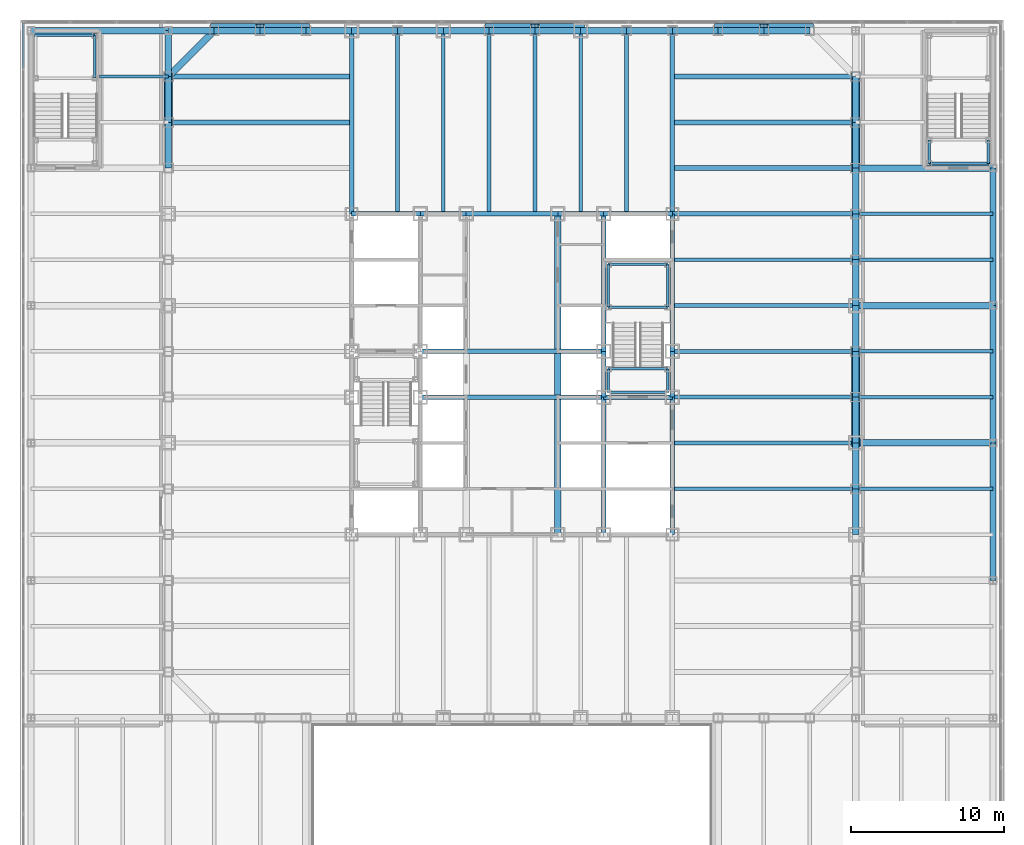
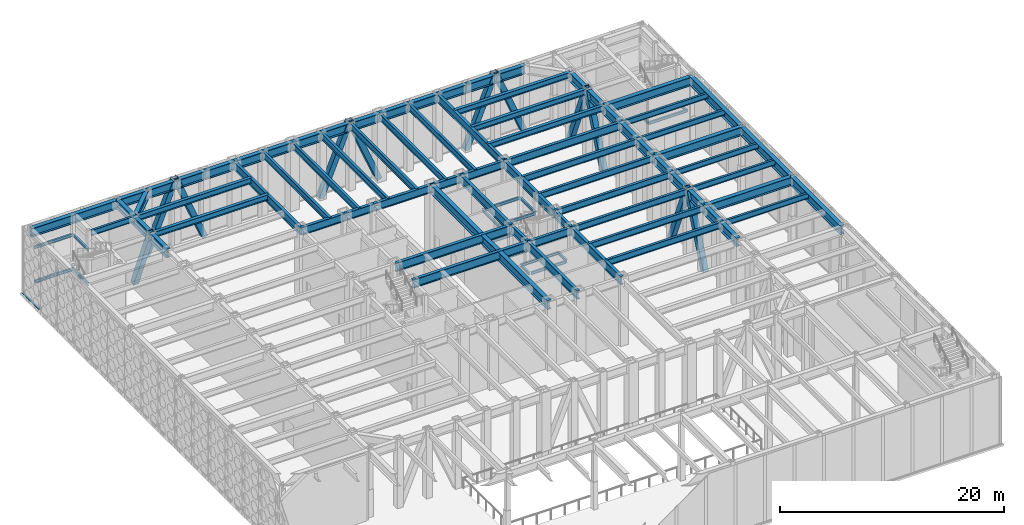
# One storey, part 7 of 34: 97 beams, 12 members, 1 element without a shape of its own.
"""IFC4 building model written with IfcOpenShell, lengths in metres."""

import ifcopenshell
import ifcopenshell.guid

model = None  # the IFC model being written
_history = None  # IfcOwnerHistory: only IFC2X3 demands one
_inside = {}  # id of a spatial element -> (the spatial element, [elements in it])
_under = {}  # id of a project, library or spatial element -> (it, [spatial elements below it])
_declared = {}  # id of a project -> (the project, [libraries it declares])
_typed = {}  # id of a type object -> (the type object, [elements of that type])
_made_of = {}  # id of a material, layer set ... -> (it, [elements and type objects made of it])


def new_model(schema):
    """Start an empty IFC model of exactly this schema.

    Asked for "IFC4X3", IfcOpenShell would pick the latest addendum, in which some entities
    have other attributes; the version numbers below select the first issue.
    IFC2X3 requires an IfcOwnerHistory on every rooted entity: one is made here for all.
    """
    global model, _history
    if schema == "IFC4X3":
        model = ifcopenshell.file(schema_version=(4, 3, 0, 0))
    else:
        model = ifcopenshell.file(schema=schema)
    _inside.clear()
    _under.clear()
    _declared.clear()
    _typed.clear()
    _made_of.clear()
    _history = None
    if model.schema == "IFC2X3":
        org = make("IfcOrganization", Name="unknown")
        user = make(
            "IfcPersonAndOrganization",
            ThePerson=make("IfcPerson", FamilyName="unknown"),
            TheOrganization=org,
        )
        app = make(
            "IfcApplication",
            ApplicationDeveloper=org,
            Version="unknown",
            ApplicationFullName="unknown",
            ApplicationIdentifier="unknown",
        )
        _history = make(
            "IfcOwnerHistory",
            OwningUser=user,
            OwningApplication=app,
            ChangeAction="ADDED",
            CreationDate=0,
        )
    return model


def make(cls, **values):
    """One entity of the class cls with the attributes given. An attribute that is None is left unset."""
    return model.create_entity(
        cls, **{name: value for name, value in values.items() if value is not None}
    )


def rooted(cls, **values):
    """An entity with a GlobalId (a new one), such as an element, a storey or a relation."""
    return make(cls, GlobalId=ifcopenshell.guid.new(), OwnerHistory=_history, **values)


def si_unit(unit_type, name, prefix=None):
    """IfcSIUnit, for example si_unit("LENGTHUNIT", "METRE", prefix="MILLI")."""
    return make("IfcSIUnit", UnitType=unit_type, Prefix=prefix, Name=name)


def assignment(units):
    """IfcUnitAssignment: the units of a project."""
    return None if units is None else make("IfcUnitAssignment", Units=units)


def point(xyz):
    """IfcCartesianPoint."""
    return None if xyz is None else make("IfcCartesianPoint", Coordinates=xyz)


def direction(xyz):
    """IfcDirection."""
    return None if xyz is None else make("IfcDirection", DirectionRatios=xyz)


def frame(location, z_axis=None, x_axis=None):
    """IfcAxis2Placement3D, a coordinate frame: its origin and axes. An axis left out is left unset."""
    return make(
        "IfcAxis2Placement3D",
        Location=point(location),
        Axis=direction(z_axis),
        RefDirection=direction(x_axis),
    )


def frame_2d(location, x_axis=None):
    """IfcAxis2Placement2D, a coordinate frame in the plane: its origin and x axis."""
    return make(
        "IfcAxis2Placement2D", Location=point(location), RefDirection=direction(x_axis)
    )


def origin():
    """The frame at (0, 0, 0) with its axes left unset."""
    return frame((0.0, 0.0, 0.0))


def origin_2d():
    """The frame at (0, 0) in the plane with its x axis left unset."""
    return frame_2d((0.0, 0.0))


def place(relative_to, where):
    """IfcLocalPlacement: puts the frame where relative to a parent placement (None: the world)."""
    return make(
        "IfcLocalPlacement", PlacementRelTo=relative_to, RelativePlacement=where
    )


def context(
    kind, dimensions, precision=None, world=None, true_north=None, identifier=None
):
    """IfcGeometricRepresentationContext, for example the 3D "Model" context."""
    return make(
        "IfcGeometricRepresentationContext",
        ContextIdentifier=identifier,
        ContextType=kind,
        CoordinateSpaceDimension=dimensions,
        Precision=precision,
        WorldCoordinateSystem=world,
        TrueNorth=true_north,
    )


def subcontext(parent, identifier, kind, view, scale=None):
    """IfcGeometricRepresentationSubContext, for example "Body" below "Model"."""
    return make(
        "IfcGeometricRepresentationSubContext",
        ContextIdentifier=identifier,
        ContextType=kind,
        ParentContext=parent,
        TargetScale=scale,
        TargetView=view,
    )


def project(units=None, contexts=None):
    """IfcProject with its units and contexts."""
    return rooted(
        "IfcProject",
        Name="project",
        RepresentationContexts=contexts,
        UnitsInContext=assignment(units),
    )


def spatial(cls, under=None, at=None, **own):
    """A site, building, storey or space (cls), placed at a placement, below another one or the project."""
    s = rooted(cls, ObjectPlacement=at, **own)
    if under is not None:
        _under.setdefault(under.id(), (under, []))[1].append(s)
    return s


def profile(cls, at=None, kind="AREA", **sizes):
    """A parametric profile (cls). Its sizes go by their IFC names, for example OverallWidth=200.0."""
    return make(cls, ProfileType=kind, Position=at, **sizes)


def rectangle(**sizes):
    """IfcRectangleProfileDef."""
    return profile("IfcRectangleProfileDef", **sizes)


def hollow_rectangle(**sizes):
    """IfcRectangleHollowProfileDef."""
    return profile("IfcRectangleHollowProfileDef", **sizes)


def i_section(**sizes):
    """IfcIShapeProfileDef."""
    return profile("IfcIShapeProfileDef", **sizes)


def extrude(swept, where, along, depth):
    """IfcExtrudedAreaSolid: the profile swept, set in the frame where, extruded along a direction by depth."""
    return make(
        "IfcExtrudedAreaSolid",
        SweptArea=swept,
        Position=where,
        ExtrudedDirection=direction(along),
        Depth=depth,
    )


def shape(context_of_items, identifier, shape_type, items):
    """IfcShapeRepresentation: the items that make up one representation, for example the "Body"."""
    return make(
        "IfcShapeRepresentation",
        ContextOfItems=context_of_items,
        RepresentationIdentifier=identifier,
        RepresentationType=shape_type,
        Items=items,
    )


def material(Name=None, Category=None):
    """IfcMaterial."""
    return make("IfcMaterial", Name=Name, Category=Category)


def layer(
    of_material, thickness, ventilated=None, Name=None, Category=None, Priority=None
):
    """IfcMaterialLayer: one layer of a wall or slab, of a material (None: an air gap)."""
    return make(
        "IfcMaterialLayer",
        Material=of_material,
        LayerThickness=thickness,
        IsVentilated=ventilated,
        Name=Name,
        Category=Category,
        Priority=Priority,
    )


def layer_set(layers, Name=None):
    """IfcMaterialLayerSet."""
    return make("IfcMaterialLayerSet", MaterialLayers=layers, LayerSetName=Name)


def material_profile(
    of_material, cross_section, Name=None, Category=None, Priority=None
):
    """IfcMaterialProfile: a cross section and its material."""
    return make(
        "IfcMaterialProfile",
        Name=Name,
        Material=of_material,
        Profile=cross_section,
        Priority=Priority,
        Category=Category,
    )


def profile_set(profiles, Name=None, composite=None):
    """IfcMaterialProfileSet."""
    return make(
        "IfcMaterialProfileSet",
        Name=Name,
        MaterialProfiles=profiles,
        CompositeProfile=composite,
    )


def made_of(thing, what):
    """Note that an element or type object is made of a material, layer set ...; save() writes the relation."""
    if what is not None:
        _made_of.setdefault(what.id(), (what, []))[1].append(thing)
    return thing


def type_object(cls, material=None, **own):
    """A type object (cls), such as IfcWallType, which elements share."""
    return made_of(rooted(cls, **own), material)


def element(
    cls,
    number,
    at=None,
    inside=None,
    cuts=None,
    type_object=None,
    material=None,
    context=None,
    identifier="Body",
    shape_type=None,
    held_by="IfcProductDefinitionShape",
    body=None,
    shapes=None,
    **own,
):
    """One element of the class cls, such as IfcWall. Its Tag is "e" and its number.

    at: its placement. inside: the storey or other place that contains it. cuts: it is an
    opening in that element (IfcRelVoidsElement). A single representation is given by context,
    identifier, shape_type and body (its items); several are given by shapes. held_by: the class
    of the entity that holds the representations. save() writes the other relations.
    """
    e = rooted(cls, Tag="e%d" % number, ObjectPlacement=at, **own)
    if body is not None:
        shapes = [shape(context, identifier, shape_type, body)]
    if shapes is not None:
        e.Representation = make(held_by, Representations=shapes)
    if inside is not None:
        _inside.setdefault(inside.id(), (inside, []))[1].append(e)
    if cuts is not None:
        rooted(
            "IfcRelVoidsElement", RelatingBuildingElement=cuts, RelatedOpeningElement=e
        )
    if type_object is not None:
        _typed.setdefault(type_object.id(), (type_object, []))[1].append(e)
    return made_of(e, material)


def aggregate(whole, parts):
    """IfcRelAggregates: a whole, such as a stair, and the parts it consists of."""
    return rooted("IfcRelAggregates", RelatingObject=whole, RelatedObjects=parts)


def save(model, path):
    """Write the relations noted so far, then the file.

    IfcRelAggregates (storeys below a building ...), IfcRelContainedInSpatialStructure (elements
    in a storey), IfcRelDefinesByType, IfcRelAssociatesMaterial and IfcRelDeclares: one each for
    every whole, place, type object, material and project.
    """
    for whole, parts in _under.values():
        aggregate(whole, parts)
    for where, things in _inside.values():
        rooted(
            "IfcRelContainedInSpatialStructure",
            RelatedElements=things,
            RelatingStructure=where,
        )
    for kind, things in _typed.values():
        rooted("IfcRelDefinesByType", RelatedObjects=things, RelatingType=kind)
    for what, things in _made_of.values():
        rooted("IfcRelAssociatesMaterial", RelatedObjects=things, RelatingMaterial=what)
    for by, libraries in _declared.values():
        rooted("IfcRelDeclares", RelatingContext=by, RelatedDefinitions=libraries)
    model.write(path)


model = new_model("IFC4")

# Units and contexts
model_context = context("Model", 3, precision=1e-05, world=origin(), true_north=direction((0.0, 1.0)))
body_context = subcontext(model_context, "Body", "Model", "MODEL_VIEW")
ifc_project = project(units=[si_unit("LENGTHUNIT", "METRE"), si_unit("AREAUNIT", "SQUARE_METRE"), si_unit("VOLUMEUNIT", "CUBIC_METRE"), si_unit("PLANEANGLEUNIT", "RADIAN"), si_unit("MASSUNIT", "GRAM", prefix="KILO")], contexts=[model_context])

# Site, building, storey
site_placement = place(None, origin())
site = spatial("IfcSite", under=ifc_project, at=site_placement, CompositionType="ELEMENT")
building_placement = place(site_placement, origin())
building = spatial("IfcBuilding", under=site, at=building_placement, Name="Chuquiago Exchange Tower", CompositionType="ELEMENT")
storey_placement = place(building_placement, frame((0.0, 0.0, 6.0)))
storey = spatial("IfcBuildingStorey", under=building, at=storey_placement, Name="L01", CompositionType="ELEMENT", Elevation=6.0)

# Beams
ifc_material_1 = material(Name="Steel ASTM A992", Category="steel")
ifc_material_profile_1 = material_profile(ifc_material_1, i_section(OverallWidth=0.307373046875, OverallDepth=0.927001953125, WebThickness=0.01953125, FlangeThickness=0.031982421875, at=origin_2d()), Name="W36X194")
ifc_profile_set_1 = profile_set([ifc_material_profile_1], Name="Steel ASTM A992")
beam_type_1 = type_object("IfcBeamType", Name="B10 W36X194", PredefinedType="BEAM", material=ifc_profile_set_1)
for number, where, z_axis, x_axis, name in (
    (1, (28.5, 12.0, 6.83642578125), (0.0, 1.0, 0.0), (-1.0, 0.0, 0.0), "CB-L02-28.5_12-28.5_21"),
    (2, (28.5, 24.0, 6.83642578125), (0.0, 1.0, 0.0), (-1.0, 0.0, 0.0), "CB-L02-28.5_24-28.5_33"),
    (3, (33.0, 12.0, 6.83642578125), (0.0, 1.0, 0.0), (-1.0, 0.0, 0.0), "CB-L02-33_12-33_21"),
    (4, (33.0, 24.0, 6.83642578125), (0.0, 1.0, 0.0), (-1.0, 0.0, 0.0), "CB-L02-33_24-33_33"),
):
    element("IfcBeam", number, at=place(storey_placement, frame(where, z_axis=z_axis, x_axis=x_axis)), inside=storey, type_object=beam_type_1, Name=name, PredefinedType="BEAM", context=body_context, shape_type="SweptSolid", body=[
        extrude(i_section(OverallWidth=0.307373046875, OverallDepth=0.927001953125, WebThickness=0.01953125, FlangeThickness=0.031982421875, at=origin_2d()), origin(), (0.0, 0.0, 1.0), 9.0),
    ])
ifc_material_2 = material(Name="Steel ASTM A992", Category="steel")
ifc_material_profile_2 = material_profile(ifc_material_2, i_section(OverallWidth=0.309814453125, OverallDepth=0.949951171875, WebThickness=0.0244140625, FlangeThickness=0.0439453125, at=origin_2d()), Name="W36X256")
ifc_profile_set_2 = profile_set([ifc_material_profile_2], Name="Steel ASTM A992")
beam_type_2 = type_object("IfcBeamType", Name="B11 W36X256", PredefinedType="BEAM", material=ifc_profile_set_2)
for number, where, z_axis, x_axis, name in (
    (5, (16.5, 21.0, 6.824951171875), (1.0, 0.0, 0.0), (0.0, 1.0, 0.0), "CB-L02-16.5_21-28.5_21"),
    (6, (16.5, 24.0, 6.824951171875), (1.0, 0.0, 0.0), (0.0, 1.0, 0.0), "CB-L02-16.5_24-28.5_24"),
):
    element("IfcBeam", number, at=place(storey_placement, frame(where, z_axis=z_axis, x_axis=x_axis)), inside=storey, type_object=beam_type_2, Name=name, PredefinedType="BEAM", context=body_context, shape_type="SweptSolid", body=[
        extrude(i_section(OverallWidth=0.309814453125, OverallDepth=0.949951171875, WebThickness=0.0244140625, FlangeThickness=0.0439453125, at=origin_2d()), origin(), (0.0, 0.0, 1.0), 12.0),
    ])
ifc_material_3 = material(Name="Steel ASTM A992", Category="steel")
ifc_material_profile_3 = material_profile(ifc_material_3, i_section(OverallWidth=0.4267578125, OverallDepth=0.975341796875, WebThickness=0.031005859375, FlangeThickness=0.055908203125, at=origin_2d()), Name="W36X395")
ifc_profile_set_3 = profile_set([ifc_material_profile_3], Name="Steel ASTM A992")
beam_type_3 = type_object("IfcBeamType", Name="B12 W36X395", PredefinedType="BEAM", material=ifc_profile_set_3)
beam_1_placement = place(storey_placement, frame((25.5, 12.0, 6.812255859375), z_axis=(0.0, 1.0, 0.0), x_axis=(-1.0, 0.0, 0.0)))
element("IfcBeam", 7, at=beam_1_placement, inside=storey, type_object=beam_type_3, Name="CB-L02-25.5_12-25.5_20.8451", PredefinedType="BEAM", context=body_context, shape_type="SweptSolid", body=[
    extrude(i_section(OverallWidth=0.4267578125, OverallDepth=0.975341796875, WebThickness=0.031005859375, FlangeThickness=0.055908203125, at=origin_2d()), origin(), (0.0, 0.0, 1.0), 8.84521484375),
])
beam_2_placement = place(storey_placement, frame((25.5, 21.15478515625, 6.812255859375), z_axis=(0.0, 1.0, 0.0), x_axis=(-1.0, 0.0, 0.0)))
element("IfcBeam", 8, at=beam_2_placement, inside=storey, type_object=beam_type_3, Name="CB-L02-25.5_21.1549-25.5_23.8451", PredefinedType="BEAM", context=body_context, shape_type="SweptSolid", body=[
    extrude(i_section(OverallWidth=0.4267578125, OverallDepth=0.975341796875, WebThickness=0.031005859375, FlangeThickness=0.055908203125, at=origin_2d()), origin(), (0.0, 0.0, 1.0), 2.6904296875),
])
beam_3_placement = place(storey_placement, frame((25.5, 24.15478515625, 6.812255859375), z_axis=(0.0, 1.0, 0.0), x_axis=(-1.0, 0.0, 0.0)))
element("IfcBeam", 9, at=beam_3_placement, inside=storey, type_object=beam_type_3, Name="CB-L02-25.5_24.1549-25.5_33", PredefinedType="BEAM", context=body_context, shape_type="SweptSolid", body=[
    extrude(i_section(OverallWidth=0.4267578125, OverallDepth=0.975341796875, WebThickness=0.031005859375, FlangeThickness=0.055908203125, at=origin_2d()), origin(), (0.0, 0.0, 1.0), 8.84521484375),
])
ifc_material_4 = material(Name="Steel ASTM A992", Category="steel")
ifc_material_profile_4 = material_profile(ifc_material_4, i_section(OverallWidth=0.2919921875, OverallDepth=0.8583984375, WebThickness=0.01708984375, FlangeThickness=0.031005859375, at=origin_2d()), Name="W33X169")
ifc_profile_set_4 = profile_set([ifc_material_profile_4], Name="Steel ASTM A992")
beam_type_4 = type_object("IfcBeamType", Name="B3 W33X169", PredefinedType="BEAM", material=ifc_profile_set_4)
for number, where, z_axis, x_axis, name in (
    (10, (28.5, 21.0, 6.87060546875), (0.0, 1.0, 0.0), (-1.0, 0.0, 0.0), "CB-L02-28.5_21-28.5_24"),
    (11, (33.0, 21.0, 6.87060546875), (0.0, 1.0, 0.0), (-1.0, 0.0, 0.0), "CB-L02-33_21-33_24"),
):
    element("IfcBeam", number, at=place(storey_placement, frame(where, z_axis=z_axis, x_axis=x_axis)), inside=storey, type_object=beam_type_4, Name=name, PredefinedType="BEAM", context=body_context, shape_type="SweptSolid", body=[
        extrude(i_section(OverallWidth=0.2919921875, OverallDepth=0.8583984375, WebThickness=0.01708984375, FlangeThickness=0.031005859375, at=origin_2d()), origin(), (0.0, 0.0, 1.0), 3.0),
    ])
for number, where, z_axis, x_axis, name in (
    (12, (28.5, 21.0, 6.87060546875), (1.0, 0.0, 0.0), (0.0, 1.0, 0.0), "CB-L02-28.5_21-33_21"),
    (13, (12.0, 33.0, 6.87060546875), (1.0, 0.0, 0.0), (0.0, 1.0, 0.0), "CB-L02-12_33-16.5_33"),
):
    element("IfcBeam", number, at=place(storey_placement, frame(where, z_axis=z_axis, x_axis=x_axis)), inside=storey, type_object=beam_type_4, Name=name, PredefinedType="BEAM", context=body_context, shape_type="SweptSolid", body=[
        extrude(i_section(OverallWidth=0.2919921875, OverallDepth=0.8583984375, WebThickness=0.01708984375, FlangeThickness=0.031005859375, at=origin_2d()), origin(), (0.0, 0.0, 1.0), 4.5),
    ])
beam_4_placement = place(storey_placement, frame((16.5, 33.0, 6.87060546875), z_axis=(1.0, 0.0, 0.0), x_axis=(0.0, 1.0, 0.0)))
element("IfcBeam", 14, at=beam_4_placement, inside=storey, type_object=beam_type_4, Name="CB-L02-16.5_33-19.5_33", PredefinedType="BEAM", context=body_context, shape_type="SweptSolid", body=[
    extrude(i_section(OverallWidth=0.2919921875, OverallDepth=0.8583984375, WebThickness=0.01708984375, FlangeThickness=0.031005859375, at=origin_2d()), origin(), (0.0, 0.0, 1.0), 3.0),
])
beam_5_placement = place(storey_placement, frame((19.5, 33.0, 6.87060546875), z_axis=(1.0, 0.0, 0.0), x_axis=(0.0, 1.0, 0.0)))
element("IfcBeam", 15, at=beam_5_placement, inside=storey, type_object=beam_type_4, Name="CB-L02-19.5_33-25.5_33", PredefinedType="BEAM", context=body_context, shape_type="SweptSolid", body=[
    extrude(i_section(OverallWidth=0.2919921875, OverallDepth=0.8583984375, WebThickness=0.01708984375, FlangeThickness=0.031005859375, at=origin_2d()), origin(), (0.0, 0.0, 1.0), 6.0),
])
beam_6_placement = place(storey_placement, frame((25.5, 33.0, 6.87060546875), z_axis=(1.0, 0.0, 0.0), x_axis=(0.0, 1.0, 0.0)))
element("IfcBeam", 16, at=beam_6_placement, inside=storey, type_object=beam_type_4, Name="CB-L02-25.5_33-28.5_33", PredefinedType="BEAM", context=body_context, shape_type="SweptSolid", body=[
    extrude(i_section(OverallWidth=0.2919921875, OverallDepth=0.8583984375, WebThickness=0.01708984375, FlangeThickness=0.031005859375, at=origin_2d()), origin(), (0.0, 0.0, 1.0), 3.0),
])
beam_7_placement = place(storey_placement, frame((28.5, 33.0, 6.87060546875), z_axis=(1.0, 0.0, 0.0), x_axis=(0.0, 1.0, 0.0)))
element("IfcBeam", 17, at=beam_7_placement, inside=storey, type_object=beam_type_4, Name="CB-L02-28.5_33-33_33", PredefinedType="BEAM", context=body_context, shape_type="SweptSolid", body=[
    extrude(i_section(OverallWidth=0.2919921875, OverallDepth=0.8583984375, WebThickness=0.01708984375, FlangeThickness=0.031005859375, at=origin_2d()), origin(), (0.0, 0.0, 1.0), 4.5),
])
ifc_material_5 = material(Name="Steel ASTM A992", Category="steel")
ifc_material_profile_5 = material_profile(ifc_material_5, i_section(OverallWidth=0.256591796875, OverallDepth=0.693359375, WebThickness=0.014404296875, FlangeThickness=0.023681640625, at=origin_2d()), Name="W27X114")
ifc_profile_set_5 = profile_set([ifc_material_profile_5], Name="Steel ASTM A992")
beam_type_5 = type_object("IfcBeamType", Name="B4 W27X114", PredefinedType="BEAM", material=ifc_profile_set_5)
for number, where, z_axis, x_axis, name in (
    (18, (15.0, 33.0, 6.953369140625), (0.0, 1.0, 0.0), (-1.0, 0.0, 0.0), "FB-L02-infill-15_33-15_45-0"),
    (19, (18.0, 33.0, 6.953369140625), (0.0, 1.0, 0.0), (-1.0, 0.0, 0.0), "FB-L02-infill-18_33-18_45-0"),
    (20, (21.0, 33.0, 6.953369140625), (0.0, 1.0, 0.0), (-1.0, 0.0, 0.0), "FB-L02-infill-21_33-21_45-0"),
    (21, (24.0, 33.0, 6.953369140625), (0.0, 1.0, 0.0), (-1.0, 0.0, 0.0), "FB-L02-infill-24_33-24_45-0"),
    (22, (27.0, 33.0, 6.953369140625), (0.0, 1.0, 0.0), (-1.0, 0.0, 0.0), "FB-L02-infill-27_33-27_45-0"),
    (23, (30.0, 33.0, 6.953369140625), (0.0, 1.0, 0.0), (-1.0, 0.0, 0.0), "FB-L02-infill-30_33-30_45-0"),
    (24, (33.0, 15.0, 6.953369140625), (1.0, 0.0, 0.0), (0.0, 1.0, 0.0), "FB-L02-infill-33_15-45_15-0"),
    (25, (33.0, 18.0, 6.953369140625), (1.0, 0.0, 0.0), (0.0, 1.0, 0.0), "FB-L02-infill-33_18-45_18-0"),
    (26, (33.0, 21.0, 6.953369140625), (1.0, 0.0, 0.0), (0.0, 1.0, 0.0), "FB-L02-infill-33_21-45_21-0"),
    (27, (33.0, 24.0, 6.953369140625), (1.0, 0.0, 0.0), (0.0, 1.0, 0.0), "FB-L02-infill-33_24-45_24-0"),
    (28, (33.0, 27.0, 6.953369140625), (1.0, 0.0, 0.0), (0.0, 1.0, 0.0), "FB-L02-infill-33_27-45_27-0"),
    (29, (33.0, 30.0, 6.953369140625), (1.0, 0.0, 0.0), (0.0, 1.0, 0.0), "FB-L02-infill-33_30-45_30-0"),
):
    element("IfcBeam", number, at=place(storey_placement, frame(where, z_axis=z_axis, x_axis=x_axis)), inside=storey, type_object=beam_type_5, Name=name, PredefinedType="BEAM", context=body_context, shape_type="SweptSolid", body=[
        extrude(i_section(OverallWidth=0.256591796875, OverallDepth=0.693359375, WebThickness=0.014404296875, FlangeThickness=0.023681640625, at=origin_2d()), origin(), (0.0, 0.0, 1.0), 12.0),
    ])
ifc_material_6 = material(Name="Steel ASTM A992", Category="steel")
ifc_material_profile_6 = material_profile(ifc_material_6, i_section(OverallWidth=0.3251953125, OverallDepth=0.6171875, WebThickness=0.013916015625, FlangeThickness=0.021484375, at=origin_2d()), Name="W24X117")
ifc_profile_set_6 = profile_set([ifc_material_profile_6], Name="Steel ASTM A992")
beam_type_6 = type_object("IfcBeamType", Name="B5 W24X117", PredefinedType="BEAM", material=ifc_profile_set_6)
for number, where, z_axis, x_axis, name in (
    (30, (12.0, 39.0, 6.991455078125), (-1.0, 0.0, 0.0), (0.0, -1.0, 0.0), "FB-L02-corner-12_39--0_39-0"),
    (31, (12.0, 42.0, 6.991455078125), (-1.0, 0.0, 0.0), (0.0, -1.0, 0.0), "FB-L02-corner-12_42--0_42-0"),
    (32, (33.0, 36.0, 6.991455078125), (1.0, 0.0, 0.0), (0.0, 1.0, 0.0), "FB-L02-corner-33_36-45_36-0"),
    (33, (33.0, 39.0, 6.991455078125), (1.0, 0.0, 0.0), (0.0, 1.0, 0.0), "FB-L02-corner-33_39-45_39-0"),
    (34, (33.0, 42.0, 6.991455078125), (1.0, 0.0, 0.0), (0.0, 1.0, 0.0), "FB-L02-corner-33_42-45_42-0"),
):
    element("IfcBeam", number, at=place(storey_placement, frame(where, z_axis=z_axis, x_axis=x_axis)), inside=storey, type_object=beam_type_6, Name=name, PredefinedType="BEAM", context=body_context, shape_type="SweptSolid", body=[
        extrude(i_section(OverallWidth=0.3251953125, OverallDepth=0.6171875, WebThickness=0.013916015625, FlangeThickness=0.021484375, at=origin_2d()), origin(), (0.0, 0.0, 1.0), 12.0),
    ])

# Curtain wall, member
ifc_material_7 = material(Name="Aluminium curtain wall system", Category="aluminium")
ifc_layer = layer(ifc_material_7, 0.300048828125)
ifc_layer_set = layer_set([ifc_layer], Name="CW4 podium curtain wall")
curtain_wall_type = type_object("IfcCurtainWallType", Name="CW4 podium curtain wall", PredefinedType="NOTDEFINED", material=ifc_layer_set)
curtain_wall_placement = place(storey_placement, origin())
curtain_wall = element("IfcCurtainWall", 35, at=curtain_wall_placement, inside=storey, type_object=curtain_wall_type, Name="CW4 curtain wall L01", PredefinedType="NOTDEFINED")
ifc_material_8 = material(Name="Aluminium transom, pale anodised", Category="aluminium")
ifc_material_profile_7 = material_profile(ifc_material_8, rectangle(XDim=0.179931640625, YDim=0.074951171875, at=origin_2d()), Name="AL 180x75")
ifc_profile_set_7 = profile_set([ifc_material_profile_7], Name="Aluminium transom, pale anodised")
member_type_1 = type_object("IfcMemberType", Name="CW4-T transom 75x180", PredefinedType="MULLION", material=ifc_profile_set_7)
member_placement = place(storey_placement, frame((-9.5, 45.5, 0.03759765625), z_axis=(0.0, -1.0, 0.0), x_axis=(1.0, 0.0, 0.0)))
member = element("IfcMember", 36, at=member_placement, type_object=member_type_1, Name="CW4 transom 1.1", PredefinedType="MULLION", context=body_context, shape_type="SweptSolid", body=[
    extrude(rectangle(XDim=0.179931640625, YDim=0.074951171875, at=origin_2d()), origin(), (0.0, 0.0, 1.0), 2.938720703125),
])
aggregate(curtain_wall, [member])

# Beams
ifc_material_9 = material(Name="Steel ASTM A992", Category="steel")
ifc_material_profile_8 = material_profile(ifc_material_9, i_section(OverallWidth=0.2919921875, OverallDepth=0.8583984375, WebThickness=0.01708984375, FlangeThickness=0.031005859375, at=origin_2d()), Name="W33X169")
ifc_profile_set_8 = profile_set([ifc_material_profile_8], Name="Steel ASTM A992")
beam_type_7 = type_object("IfcBeamType", Name="G2 W33X169", PredefinedType="BEAM", material=ifc_profile_set_8)
for number, where, z_axis, x_axis, name in (
    (37, (12.0, 33.0, 6.87060546875), (0.0, 1.0, 0.0), (-1.0, 0.0, 0.0), "FB-L02-girder-12_33-12_45-0"),
    (38, (33.0, 33.0, 6.87060546875), (0.0, 1.0, 0.0), (-1.0, 0.0, 0.0), "FB-L02-girder-33_33-33_45-0"),
    (39, (33.0, 33.0, 6.87060546875), (1.0, 0.0, 0.0), (0.0, 1.0, 0.0), "FB-L02-girder-33_33-45_33-0"),
):
    element("IfcBeam", number, at=place(storey_placement, frame(where, z_axis=z_axis, x_axis=x_axis)), inside=storey, type_object=beam_type_7, Name=name, PredefinedType="BEAM", context=body_context, shape_type="SweptSolid", body=[
        extrude(i_section(OverallWidth=0.2919921875, OverallDepth=0.8583984375, WebThickness=0.01708984375, FlangeThickness=0.031005859375, at=origin_2d()), origin(), (0.0, 0.0, 1.0), 12.0),
    ])
ifc_material_10 = material(Name="Steel ASTM A992", Category="steel")
ifc_material_profile_9 = material_profile(ifc_material_10, i_section(OverallWidth=0.164794921875, OverallDepth=0.309814453125, WebThickness=0.005859375, FlangeThickness=0.009765625, at=origin_2d()), Name="W12X26")
ifc_profile_set_9 = profile_set([ifc_material_profile_9], Name="Steel ASTM A992")
beam_type_8 = type_object("IfcBeamType", Name="LS1 W12X26", PredefinedType="BEAM", material=ifc_profile_set_9)
for number, where, z_axis, x_axis, name in (
    (40, (28.81005859375, 26.889892578125, 1.52001953125), (0.0, 1.0, 0.0), (-1.0, 0.0, 0.0), "Stair ST2 L01 landing 1 stringer"),
    (41, (32.68994140625, 26.889892578125, 1.52001953125), (0.0, 1.0, 0.0), (-1.0, 0.0, 0.0), "Stair ST2 L01 landing 1 stringer"),
):
    element("IfcBeam", number, at=place(storey_placement, frame(where, z_axis=z_axis, x_axis=x_axis)), inside=storey, type_object=beam_type_8, Name=name, PredefinedType="BEAM", context=body_context, shape_type="SweptSolid", body=[
        extrude(i_section(OverallWidth=0.164794921875, OverallDepth=0.309814453125, WebThickness=0.005859375, FlangeThickness=0.009765625, at=origin_2d()), origin(), (0.0, 0.0, 1.0), 2.800048828125),
    ])
for number, where, z_axis, x_axis, name in (
    (42, (28.81005859375, 21.31005859375, 3.39501953125), (0.0, 1.0, 0.0), (-1.0, 0.0, 0.0), "Stair ST2 L01 landing 2 stringer"),
    (43, (32.68994140625, 21.31005859375, 3.39501953125), (0.0, 1.0, 0.0), (-1.0, 0.0, 0.0), "Stair ST2 L01 landing 2 stringer"),
):
    element("IfcBeam", number, at=place(storey_placement, frame(where, z_axis=z_axis, x_axis=x_axis)), inside=storey, type_object=beam_type_8, Name=name, PredefinedType="BEAM", context=body_context, shape_type="SweptSolid", body=[
        extrude(i_section(OverallWidth=0.164794921875, OverallDepth=0.309814453125, WebThickness=0.005859375, FlangeThickness=0.009765625, at=origin_2d()), origin(), (0.0, 0.0, 1.0), 1.5400390625),
    ])
for number, where, z_axis, x_axis, name in (
    (44, (28.81005859375, 26.889892578125, 5.27001953125), (0.0, 1.0, 0.0), (-1.0, 0.0, 0.0), "Stair ST2 L01 landing 3 stringer"),
    (45, (32.68994140625, 26.889892578125, 5.27001953125), (0.0, 1.0, 0.0), (-1.0, 0.0, 0.0), "Stair ST2 L01 landing 3 stringer"),
    (46, (-4.81005859375, 41.889892578125, 1.52001953125), (0.0, 1.0, 0.0), (-1.0, 0.0, 0.0), "Stair PS3 L01 landing 1 stringer"),
    (47, (-4.81005859375, 41.889892578125, 5.27001953125), (0.0, 1.0, 0.0), (-1.0, 0.0, 0.0), "Stair PS3 L01 landing 3 stringer"),
):
    element("IfcBeam", number, at=place(storey_placement, frame(where, z_axis=z_axis, x_axis=x_axis)), inside=storey, type_object=beam_type_8, Name=name, PredefinedType="BEAM", context=body_context, shape_type="SweptSolid", body=[
        extrude(i_section(OverallWidth=0.164794921875, OverallDepth=0.309814453125, WebThickness=0.005859375, FlangeThickness=0.009765625, at=origin_2d()), origin(), (0.0, 0.0, 1.0), 2.800048828125),
    ])
for number, where, z_axis, x_axis, name in (
    (48, (49.81005859375, 36.31005859375, 3.39501953125), (0.0, 1.0, 0.0), (-1.0, 0.0, 0.0), "Stair PS4 L01 landing 2 stringer"),
    (49, (53.68994140625, 36.31005859375, 3.39501953125), (0.0, 1.0, 0.0), (-1.0, 0.0, 0.0), "Stair PS4 L01 landing 2 stringer"),
):
    element("IfcBeam", number, at=place(storey_placement, frame(where, z_axis=z_axis, x_axis=x_axis)), inside=storey, type_object=beam_type_8, Name=name, PredefinedType="BEAM", context=body_context, shape_type="SweptSolid", body=[
        extrude(i_section(OverallWidth=0.164794921875, OverallDepth=0.309814453125, WebThickness=0.005859375, FlangeThickness=0.009765625, at=origin_2d()), origin(), (0.0, 0.0, 1.0), 1.5400390625),
    ])
ifc_material_11 = material(Name="Steel ASTM A992", Category="steel")
ifc_material_profile_10 = material_profile(ifc_material_11, i_section(OverallWidth=0.164794921875, OverallDepth=0.309814453125, WebThickness=0.005859375, FlangeThickness=0.009765625, at=origin_2d()), Name="W12X26")
ifc_profile_set_10 = profile_set([ifc_material_profile_10], Name="Steel ASTM A992")
beam_type_9 = type_object("IfcBeamType", Name="LT1 W12X26", PredefinedType="BEAM", material=ifc_profile_set_10)
for number, where, z_axis, x_axis, name in (
    (50, (28.81005859375, 29.68994140625, 1.52001953125), (1.0, 0.0, 0.0), (0.0, 1.0, 0.0), "Stair ST2 L01 landing 1 trimmer"),
    (51, (28.81005859375, 26.889892578125, 1.52001953125), (1.0, 0.0, 0.0), (0.0, 1.0, 0.0), "Stair ST2 L01 landing 1 trimmer"),
    (52, (28.81005859375, 22.85009765625, 3.39501953125), (1.0, 0.0, 0.0), (0.0, 1.0, 0.0), "Stair ST2 L01 landing 2 trimmer"),
):
    element("IfcBeam", number, at=place(storey_placement, frame(where, z_axis=z_axis, x_axis=x_axis)), inside=storey, type_object=beam_type_9, Name=name, PredefinedType="BEAM", context=body_context, shape_type="SweptSolid", body=[
        extrude(i_section(OverallWidth=0.164794921875, OverallDepth=0.309814453125, WebThickness=0.005859375, FlangeThickness=0.009765625, at=origin_2d()), origin(), (0.0, 0.0, 1.0), 3.8798828125),
    ])
beam_8_placement = place(storey_placement, frame((28.955078125, 21.31005859375, 3.39501953125), z_axis=(1.0, 0.0, 0.0), x_axis=(0.0, 1.0, 0.0)))
element("IfcBeam", 53, at=beam_8_placement, inside=storey, type_object=beam_type_9, Name="Stair ST2 L01 landing 2 trimmer", PredefinedType="BEAM", context=body_context, shape_type="SweptSolid", body=[
    extrude(i_section(OverallWidth=0.164794921875, OverallDepth=0.309814453125, WebThickness=0.005859375, FlangeThickness=0.009765625, at=origin_2d()), origin(), (0.0, 0.0, 1.0), 3.58984375),
])
for number, where, z_axis, x_axis, name in (
    (54, (28.81005859375, 29.68994140625, 5.27001953125), (1.0, 0.0, 0.0), (0.0, 1.0, 0.0), "Stair ST2 L01 landing 3 trimmer"),
    (55, (28.81005859375, 26.889892578125, 5.27001953125), (1.0, 0.0, 0.0), (0.0, 1.0, 0.0), "Stair ST2 L01 landing 3 trimmer"),
):
    element("IfcBeam", number, at=place(storey_placement, frame(where, z_axis=z_axis, x_axis=x_axis)), inside=storey, type_object=beam_type_9, Name=name, PredefinedType="BEAM", context=body_context, shape_type="SweptSolid", body=[
        extrude(i_section(OverallWidth=0.164794921875, OverallDepth=0.309814453125, WebThickness=0.005859375, FlangeThickness=0.009765625, at=origin_2d()), origin(), (0.0, 0.0, 1.0), 3.8798828125),
    ])
for number, where, z_axis, x_axis, name in (
    (56, (-8.814208984375, 44.68994140625, 1.52001953125), (1.0, 0.0, 0.0), (0.0, 1.0, 0.0), "Stair PS3 L01 landing 1 trimmer"),
    (57, (-8.814208984375, 44.68994140625, 5.27001953125), (1.0, 0.0, 0.0), (0.0, 1.0, 0.0), "Stair PS3 L01 landing 3 trimmer"),
    (58, (49.81005859375, 36.31005859375, 3.39501953125), (1.0, 0.0, 0.0), (0.0, 1.0, 0.0), "Stair PS4 L01 landing 2 trimmer"),
):
    element("IfcBeam", number, at=place(storey_placement, frame(where, z_axis=z_axis, x_axis=x_axis)), inside=storey, type_object=beam_type_9, Name=name, PredefinedType="BEAM", context=body_context, shape_type="SweptSolid", body=[
        extrude(i_section(OverallWidth=0.164794921875, OverallDepth=0.309814453125, WebThickness=0.005859375, FlangeThickness=0.009765625, at=origin_2d()), origin(), (0.0, 0.0, 1.0), 4.004150390625),
    ])

# Members
ifc_material_12 = material(Name="Steel ASTM A572 Grade 50", Category="steel")
ifc_material_profile_11 = material_profile(ifc_material_12, hollow_rectangle(XDim=0.550048828125, YDim=0.550048828125, WallThickness=0.044921875, at=origin_2d()), Name="BOX550X550X45")
ifc_profile_set_11 = profile_set([ifc_material_profile_11], Name="Steel ASTM A572 Grade 50")
member_type_2 = type_object("IfcMemberType", Name="MB1 BOX550X550X45", PredefinedType="BRACE", material=ifc_profile_set_11)
for number, where, z_axis, x_axis, name in (
    (59, (45.0, 18.0, 0.0), (0.0, 0.378334309689, 0.925669028385), (-1.0, 0.0, 0.0), "Mega diagonal L01 E face"),
    (60, (45.0, 24.0, 0.0), (0.0, -0.378334309689, 0.925669028385), (1.0, 0.0, 0.0), "Mega diagonal L01 E face"),
    (61, (45.0, 36.0, 0.0), (0.0, 0.378334309689, 0.925669028385), (-1.0, 0.0, 0.0), "Mega diagonal L01 E face"),
    (62, (45.0, 42.0, 0.0), (0.0, -0.378334309689, 0.925669028385), (1.0, 0.0, 0.0), "Mega diagonal L01 E face"),
    (63, (42.0, 45.205078125, 0.0), (-0.378334309689, 0.0, 0.925669028385), (0.0, -1.0, 0.0), "Mega diagonal L01 N face"),
    (64, (36.0, 45.205078125, 0.0), (0.378334309689, 0.0, 0.925669028385), (0.0, 1.0, 0.0), "Mega diagonal L01 N face"),
    (65, (27.0, 45.205078125, 0.0), (-0.378334309689, 0.0, 0.925669028385), (0.0, -1.0, 0.0), "Mega diagonal L01 N face"),
    (66, (21.0, 45.205078125, 0.0), (0.378334309689, 0.0, 0.925669028385), (0.0, 1.0, 0.0), "Mega diagonal L01 N face"),
    (67, (9.0, 45.205078125, 0.0), (-0.378334309689, 0.0, 0.925669028385), (0.0, -1.0, 0.0), "Mega diagonal L01 N face"),
    (68, (3.0, 45.205078125, 0.0), (0.378334309689, 0.0, 0.925669028385), (0.0, 1.0, 0.0), "Mega diagonal L01 N face"),
    (69, (0.0, 42.0, 0.0), (0.0, -0.378334309689, 0.925669028385), (1.0, 0.0, 0.0), "Mega diagonal L01 W face"),
):
    element("IfcMember", number, at=place(storey_placement, frame(where, z_axis=z_axis, x_axis=x_axis)), inside=storey, type_object=member_type_2, Name=name, PredefinedType="BRACE", context=body_context, shape_type="SweptSolid", body=[
        extrude(hollow_rectangle(XDim=0.550048828125, YDim=0.550048828125, WallThickness=0.044921875, at=origin_2d()), origin(), (0.0, 0.0, 1.0), 7.929443359375),
    ])

# Beams
ifc_material_13 = material(Name="Steel ASTM A992", Category="steel")
ifc_material_profile_12 = material_profile(ifc_material_13, i_section(OverallWidth=0.227783203125, OverallDepth=0.60205078125, WebThickness=0.010498046875, FlangeThickness=0.014892578125, at=origin_2d()), Name="W24X68")
ifc_profile_set_12 = profile_set([ifc_material_profile_12], Name="Steel ASTM A992")
beam_type_10 = type_object("IfcBeamType", Name="PB1 W24X68", PredefinedType="BEAM", material=ifc_profile_set_12)
for number, where, z_axis, x_axis, name in (
    (70, (45.0, 15.0, 6.9990234375), (1.0, 0.0, 0.0), (0.0, 1.0, 0.0), "PB-L02-45_15"),
    (71, (45.0, 21.0, 6.9990234375), (1.0, 0.0, 0.0), (0.0, 1.0, 0.0), "PB-L02-45_21"),
    (72, (45.0, 24.0, 6.9990234375), (1.0, 0.0, 0.0), (0.0, 1.0, 0.0), "PB-L02-45_24"),
    (73, (45.0, 30.0, 6.9990234375), (1.0, 0.0, 0.0), (0.0, 1.0, 0.0), "PB-L02-45_30"),
    (74, (45.0, 33.0, 6.9990234375), (1.0, 0.0, 0.0), (0.0, 1.0, 0.0), "PB-L02-45_33"),
):
    element("IfcBeam", number, at=place(storey_placement, frame(where, z_axis=z_axis, x_axis=x_axis)), inside=storey, type_object=beam_type_10, Name=name, PredefinedType="BEAM", context=body_context, shape_type="SweptSolid", body=[
        extrude(i_section(OverallWidth=0.227783203125, OverallDepth=0.60205078125, WebThickness=0.010498046875, FlangeThickness=0.014892578125, at=origin_2d()), origin(), (0.0, 0.0, 1.0), 9.0),
    ])
beam_9_placement = place(storey_placement, frame((-4.5, 42.0, 6.9990234375), z_axis=(1.0, 0.0, 0.0), x_axis=(0.0, 1.0, 0.0)))
element("IfcBeam", 75, at=beam_9_placement, inside=storey, type_object=beam_type_10, Name="PB-L02--4.5_42", PredefinedType="BEAM", context=body_context, shape_type="SweptSolid", body=[
    extrude(i_section(OverallWidth=0.227783203125, OverallDepth=0.60205078125, WebThickness=0.010498046875, FlangeThickness=0.014892578125, at=origin_2d()), origin(), (0.0, 0.0, 1.0), 4.5),
])
ifc_material_14 = material(Name="Steel ASTM A992", Category="steel")
ifc_material_profile_13 = material_profile(ifc_material_14, i_section(OverallWidth=0.424072265625, OverallDepth=0.947509765625, WebThickness=0.02392578125, FlangeThickness=0.042724609375, at=origin_2d()), Name="W36X302")
ifc_profile_set_13 = profile_set([ifc_material_profile_13], Name="Steel ASTM A992")
beam_type_11 = type_object("IfcBeamType", Name="PG1 W36X302", PredefinedType="BEAM", material=ifc_profile_set_13)
beam_10_placement = place(storey_placement, frame((0.0, 42.0, 6.826416015625), z_axis=(0.0, 1.0, 0.0), x_axis=(-1.0, 0.0, 0.0)))
element("IfcBeam", 76, at=beam_10_placement, inside=storey, type_object=beam_type_11, Name="PG-L02-0_42-0_45", PredefinedType="BEAM", context=body_context, shape_type="SweptSolid", body=[
    extrude(i_section(OverallWidth=0.424072265625, OverallDepth=0.947509765625, WebThickness=0.02392578125, FlangeThickness=0.042724609375, at=origin_2d()), origin(), (0.0, 0.0, 1.0), 3.0),
])
for number, where, z_axis, x_axis, name in (
    (77, (54.0, 9.0, 6.826416015625), (0.0, 1.0, 0.0), (-1.0, 0.0, 0.0), "PG-L02-54_9-54_18"),
    (78, (54.0, 18.0, 6.826416015625), (0.0, 1.0, 0.0), (-1.0, 0.0, 0.0), "PG-L02-54_18-54_27"),
    (79, (54.0, 27.0, 6.826416015625), (0.0, 1.0, 0.0), (-1.0, 0.0, 0.0), "PG-L02-54_27-54_36"),
    (80, (45.0, 18.0, 6.826416015625), (1.0, 0.0, 0.0), (0.0, 1.0, 0.0), "PG-L02-45_18-54_18"),
    (81, (45.0, 27.0, 6.826416015625), (1.0, 0.0, 0.0), (0.0, 1.0, 0.0), "PG-L02-45_27-54_27"),
    (82, (45.0, 36.0, 6.826416015625), (1.0, 0.0, 0.0), (0.0, 1.0, 0.0), "PG-L02-45_36-54_36"),
    (83, (-9.0, 45.0, 6.826416015625), (1.0, 0.0, 0.0), (0.0, 1.0, 0.0), "PG-L02--9_45-0_45"),
):
    element("IfcBeam", number, at=place(storey_placement, frame(where, z_axis=z_axis, x_axis=x_axis)), inside=storey, type_object=beam_type_11, Name=name, PredefinedType="BEAM", context=body_context, shape_type="SweptSolid", body=[
        extrude(i_section(OverallWidth=0.424072265625, OverallDepth=0.947509765625, WebThickness=0.02392578125, FlangeThickness=0.042724609375, at=origin_2d()), origin(), (0.0, 0.0, 1.0), 9.0),
    ])
beam_11_placement = place(storey_placement, frame((0.0, 45.0, 6.826416015625), z_axis=(1.0, 0.0, 0.0), x_axis=(0.0, 1.0, 0.0)))
element("IfcBeam", 84, at=beam_11_placement, inside=storey, type_object=beam_type_11, Name="PG-L02-0_45-3_45", PredefinedType="BEAM", context=body_context, shape_type="SweptSolid", body=[
    extrude(i_section(OverallWidth=0.424072265625, OverallDepth=0.947509765625, WebThickness=0.02392578125, FlangeThickness=0.042724609375, at=origin_2d()), origin(), (0.0, 0.0, 1.0), 3.0),
])
ifc_material_15 = material(Name="Steel ASTM A992", Category="steel")
ifc_material_profile_14 = material_profile(ifc_material_15, i_section(OverallWidth=0.4267578125, OverallDepth=0.95751953125, WebThickness=0.028564453125, FlangeThickness=0.050048828125, at=origin_2d()), Name="W36X361")
ifc_profile_set_14 = profile_set([ifc_material_profile_14], Name="Steel ASTM A992")
beam_type_12 = type_object("IfcBeamType", Name="SP1 W36X361", PredefinedType="SPANDREL", material=ifc_profile_set_14)
for number, where, z_axis, x_axis, name in (
    (85, (45.0, 12.0, 6.8212890625), (0.0, 1.0, 0.0), (-1.0, 0.0, 0.0), "SPB-L02-45_12-45_15"),
    (86, (45.0, 15.0, 6.8212890625), (0.0, 1.0, 0.0), (-1.0, 0.0, 0.0), "SPB-L02-45_15-45_18"),
    (87, (45.0, 18.0, 6.8212890625), (0.0, 1.0, 0.0), (-1.0, 0.0, 0.0), "SPB-L02-45_18-45_21"),
    (88, (45.0, 21.0, 6.8212890625), (0.0, 1.0, 0.0), (-1.0, 0.0, 0.0), "SPB-L02-45_21-45_24"),
    (89, (45.0, 24.0, 6.8212890625), (0.0, 1.0, 0.0), (-1.0, 0.0, 0.0), "SPB-L02-45_24-45_27"),
    (90, (45.0, 27.0, 6.8212890625), (0.0, 1.0, 0.0), (-1.0, 0.0, 0.0), "SPB-L02-45_27-45_30"),
    (91, (45.0, 30.0, 6.8212890625), (0.0, 1.0, 0.0), (-1.0, 0.0, 0.0), "SPB-L02-45_30-45_33"),
    (92, (45.0, 33.0, 6.8212890625), (0.0, 1.0, 0.0), (-1.0, 0.0, 0.0), "SPB-L02-45_33-45_36"),
    (93, (45.0, 36.0, 6.8212890625), (0.0, 1.0, 0.0), (-1.0, 0.0, 0.0), "SPB-L02-45_36-45_39"),
    (94, (45.0, 39.0, 6.8212890625), (0.0, 1.0, 0.0), (-1.0, 0.0, 0.0), "SPB-L02-45_39-45_42"),
    (95, (42.0, 45.0, 6.8212890625), (-1.0, 0.0, 0.0), (0.0, -1.0, 0.0), "SPB-L02-42_45-39_45"),
    (96, (39.0, 45.0, 6.8212890625), (-1.0, 0.0, 0.0), (0.0, -1.0, 0.0), "SPB-L02-39_45-36_45"),
    (97, (36.0, 45.0, 6.8212890625), (-1.0, 0.0, 0.0), (0.0, -1.0, 0.0), "SPB-L02-36_45-33_45"),
    (98, (33.0, 45.0, 6.8212890625), (-1.0, 0.0, 0.0), (0.0, -1.0, 0.0), "SPB-L02-33_45-30_45"),
    (99, (30.0, 45.0, 6.8212890625), (-1.0, 0.0, 0.0), (0.0, -1.0, 0.0), "SPB-L02-30_45-27_45"),
    (100, (27.0, 45.0, 6.8212890625), (-1.0, 0.0, 0.0), (0.0, -1.0, 0.0), "SPB-L02-27_45-24_45"),
    (101, (24.0, 45.0, 6.8212890625), (-1.0, 0.0, 0.0), (0.0, -1.0, 0.0), "SPB-L02-24_45-21_45"),
    (102, (21.0, 45.0, 6.8212890625), (-1.0, 0.0, 0.0), (0.0, -1.0, 0.0), "SPB-L02-21_45-18_45"),
    (103, (18.0, 45.0, 6.8212890625), (-1.0, 0.0, 0.0), (0.0, -1.0, 0.0), "SPB-L02-18_45-15_45"),
    (104, (15.0, 45.0, 6.8212890625), (-1.0, 0.0, 0.0), (0.0, -1.0, 0.0), "SPB-L02-15_45-12_45"),
    (105, (12.0, 45.0, 6.8212890625), (-1.0, 0.0, 0.0), (0.0, -1.0, 0.0), "SPB-L02-12_45-9_45"),
    (106, (9.0, 45.0, 6.8212890625), (-1.0, 0.0, 0.0), (0.0, -1.0, 0.0), "SPB-L02-9_45-6_45"),
    (107, (6.0, 45.0, 6.8212890625), (-1.0, 0.0, 0.0), (0.0, -1.0, 0.0), "SPB-L02-6_45-3_45"),
):
    element("IfcBeam", number, at=place(storey_placement, frame(where, z_axis=z_axis, x_axis=x_axis)), inside=storey, type_object=beam_type_12, Name=name, PredefinedType="SPANDREL", context=body_context, shape_type="SweptSolid", body=[
        extrude(i_section(OverallWidth=0.4267578125, OverallDepth=0.95751953125, WebThickness=0.028564453125, FlangeThickness=0.050048828125, at=origin_2d()), origin(), (0.0, 0.0, 1.0), 3.0),
    ])
beam_12_placement = place(storey_placement, frame((3.0, 45.0, 6.8212890625), z_axis=(-0.707106781187, -0.707106781187, 0.0), x_axis=(0.707106781187, -0.707106781187, 0.0)))
element("IfcBeam", 108, at=beam_12_placement, inside=storey, type_object=beam_type_12, Name="SPB-L02-3_45-0_42", PredefinedType="SPANDREL", context=body_context, shape_type="SweptSolid", body=[
    extrude(i_section(OverallWidth=0.4267578125, OverallDepth=0.95751953125, WebThickness=0.028564453125, FlangeThickness=0.050048828125, at=origin_2d()), origin(), (0.0, 0.0, 1.0), 4.24267578125),
])
for number, where, z_axis, x_axis, name in (
    (109, (0.0, 42.0, 6.8212890625), (0.0, -1.0, 0.0), (1.0, 0.0, 0.0), "SPB-L02-0_42-0_39"),
    (110, (0.0, 39.0, 6.8212890625), (0.0, -1.0, 0.0), (1.0, 0.0, 0.0), "SPB-L02-0_39-0_36"),
):
    element("IfcBeam", number, at=place(storey_placement, frame(where, z_axis=z_axis, x_axis=x_axis)), inside=storey, type_object=beam_type_12, Name=name, PredefinedType="SPANDREL", context=body_context, shape_type="SweptSolid", body=[
        extrude(i_section(OverallWidth=0.4267578125, OverallDepth=0.95751953125, WebThickness=0.028564453125, FlangeThickness=0.050048828125, at=origin_2d()), origin(), (0.0, 0.0, 1.0), 3.0),
    ])

save(model, "model.ifc")
